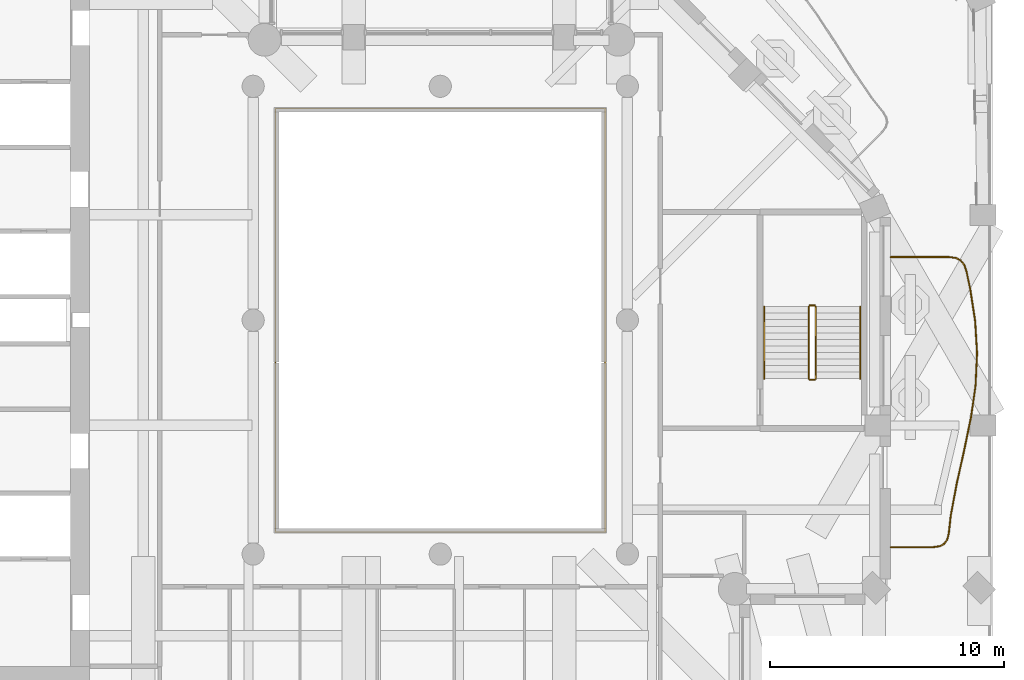
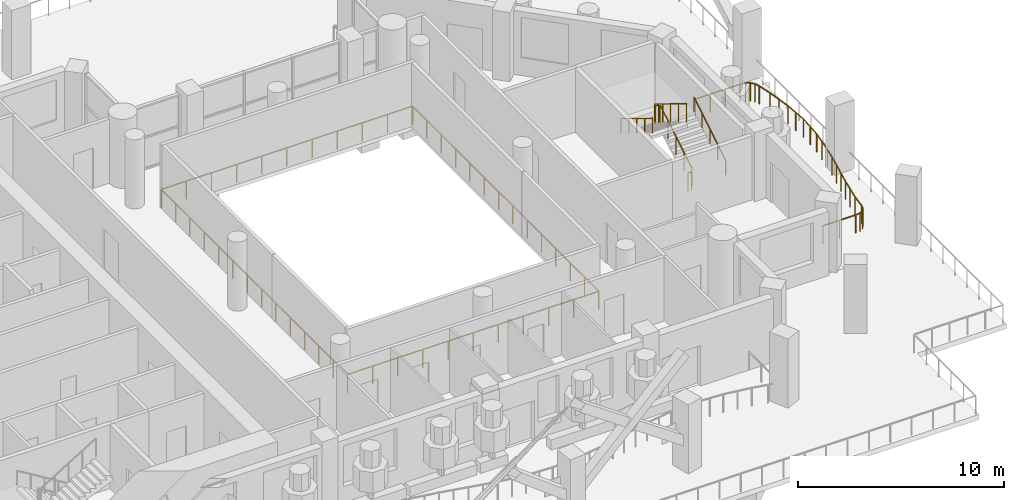
# One storey, part 15 of 18: 8 railings.
"""IFC4 building model written with IfcOpenShell, lengths in metres."""

from ifc_helpers import new_model, si_unit, direction, frame, origin, origin_2d, place, context, subcontext, project, spatial, rectangle, extrude, material, type_object, element, save


model = new_model("IFC4")

# Units and contexts
model_context = context("Model", 3, precision=1e-05, world=origin(), true_north=direction((0.0, 1.0)))
body_context = subcontext(model_context, "Body", "Model", "MODEL_VIEW")
ifc_project = project(units=[si_unit("LENGTHUNIT", "METRE"), si_unit("AREAUNIT", "SQUARE_METRE"), si_unit("VOLUMEUNIT", "CUBIC_METRE"), si_unit("PLANEANGLEUNIT", "RADIAN"), si_unit("MASSUNIT", "GRAM", prefix="KILO")], contexts=[model_context])

# Site, building, storey
site_placement = place(None, origin())
site = spatial("IfcSite", under=ifc_project, at=site_placement, CompositionType="ELEMENT")
building_placement = place(site_placement, origin())
building = spatial("IfcBuilding", under=site, at=building_placement, Name="Cypress Arch Tower", CompositionType="ELEMENT")
storey_placement = place(building_placement, frame((0.0, 0.0, 160.5)))
storey = spatial("IfcBuildingStorey", under=building, at=storey_placement, Name="L34", CompositionType="ELEMENT", Elevation=160.5)

# Railings
ifc_material_1 = material(Name="Stainless steel posts and handrail, laminated glass infill", Category="steel")
railing_type_1 = type_object("IfcRailingType", Name="Atrium guard GR1100A", PredefinedType="GUARDRAIL", material=ifc_material_1)
railing_1_placement = place(storey_placement, frame((8.050048828125, -9.050048828125, 0.0)))
element("IfcRailing", 1, at=railing_1_placement, inside=storey, type_object=railing_type_1, Name="Atrium guard L34", PredefinedType="GUARDRAIL", context=body_context, shape_type="SweptSolid", body=[
    extrude(rectangle(XDim=0.050048828125, YDim=0.050048828125, at=origin_2d()), frame((0.0, 0.0, 1.0751953125), z_axis=(-1.0, 0.0, 0.0), x_axis=(0.0, -1.0, 0.0)), (0.0, 0.0, 1.0), 14.10009765625),
    extrude(rectangle(XDim=0.050048828125, YDim=0.050048828125, at=origin_2d()), frame((-14.10009765625, 0.0, 1.0751953125), z_axis=(0.0, 1.0, 0.0), x_axis=(-1.0, 0.0, 0.0)), (0.0, 0.0, 1.0), 18.10009765625),
    extrude(rectangle(XDim=0.050048828125, YDim=0.050048828125, at=origin_2d()), frame((-14.10009765625, 18.10009765625, 1.0751953125), z_axis=(1.0, 0.0, 0.0), x_axis=(0.0, 1.0, 0.0)), (0.0, 0.0, 1.0), 14.10009765625),
    extrude(rectangle(XDim=0.050048828125, YDim=0.050048828125, at=origin_2d()), frame((0.0, 18.10009765625, 1.0751953125), z_axis=(0.0, -1.0, 0.0), x_axis=(1.0, 0.0, 0.0)), (0.0, 0.0, 1.0), 18.10009765625),
    extrude(rectangle(XDim=0.050048828125, YDim=0.050048828125, at=origin_2d()), origin(), (0.0, 0.0, 1.0), 1.050048828125),
    extrude(rectangle(XDim=0.050048828125, YDim=0.050048828125, at=origin_2d()), frame((-1.409912109375, 0.0, 0.0)), (0.0, 0.0, 1.0), 1.050048828125),
    extrude(rectangle(XDim=0.050048828125, YDim=0.050048828125, at=origin_2d()), frame((-2.820068359375, 0.0, 0.0)), (0.0, 0.0, 1.0), 1.050048828125),
    extrude(rectangle(XDim=0.050048828125, YDim=0.050048828125, at=origin_2d()), frame((-4.22998046875, 0.0, 0.0)), (0.0, 0.0, 1.0), 1.050048828125),
    extrude(rectangle(XDim=0.050048828125, YDim=0.050048828125, at=origin_2d()), frame((-5.64013671875, 0.0, 0.0)), (0.0, 0.0, 1.0), 1.050048828125),
    extrude(rectangle(XDim=0.050048828125, YDim=0.050048828125, at=origin_2d()), frame((-7.050048828125, 0.0, 0.0)), (0.0, 0.0, 1.0), 1.050048828125),
    extrude(rectangle(XDim=0.050048828125, YDim=0.050048828125, at=origin_2d()), frame((-8.4599609375, 0.0, 0.0)), (0.0, 0.0, 1.0), 1.050048828125),
    extrude(rectangle(XDim=0.050048828125, YDim=0.050048828125, at=origin_2d()), frame((-9.8701171875, 0.0, 0.0)), (0.0, 0.0, 1.0), 1.050048828125),
    extrude(rectangle(XDim=0.050048828125, YDim=0.050048828125, at=origin_2d()), frame((-11.280029296875, 0.0, 0.0)), (0.0, 0.0, 1.0), 1.050048828125),
    extrude(rectangle(XDim=0.050048828125, YDim=0.050048828125, at=origin_2d()), frame((-12.690185546875, 0.0, 0.0)), (0.0, 0.0, 1.0), 1.050048828125),
    extrude(rectangle(XDim=0.050048828125, YDim=0.050048828125, at=origin_2d()), frame((-14.10009765625, 0.0, 0.0)), (0.0, 0.0, 1.0), 1.050048828125),
    extrude(rectangle(XDim=0.050048828125, YDim=0.050048828125, at=origin_2d()), frame((-14.10009765625, 1.392333984375, 0.0)), (0.0, 0.0, 1.0), 1.050048828125),
    extrude(rectangle(XDim=0.050048828125, YDim=0.050048828125, at=origin_2d()), frame((-14.10009765625, 2.78466796875, 0.0)), (0.0, 0.0, 1.0), 1.050048828125),
    extrude(rectangle(XDim=0.050048828125, YDim=0.050048828125, at=origin_2d()), frame((-14.10009765625, 4.177001953125, 0.0)), (0.0, 0.0, 1.0), 1.050048828125),
    extrude(rectangle(XDim=0.050048828125, YDim=0.050048828125, at=origin_2d()), frame((-14.10009765625, 5.5693359375, 0.0)), (0.0, 0.0, 1.0), 1.050048828125),
    extrude(rectangle(XDim=0.050048828125, YDim=0.050048828125, at=origin_2d()), frame((-14.10009765625, 6.961669921875, 0.0)), (0.0, 0.0, 1.0), 1.050048828125),
    extrude(rectangle(XDim=0.050048828125, YDim=0.050048828125, at=origin_2d()), frame((-14.10009765625, 8.35400390625, 0.0)), (0.0, 0.0, 1.0), 1.050048828125),
    extrude(rectangle(XDim=0.050048828125, YDim=0.050048828125, at=origin_2d()), frame((-14.10009765625, 9.74609375, 0.0)), (0.0, 0.0, 1.0), 1.050048828125),
    extrude(rectangle(XDim=0.050048828125, YDim=0.050048828125, at=origin_2d()), frame((-14.10009765625, 11.138427734375, 0.0)), (0.0, 0.0, 1.0), 1.050048828125),
    extrude(rectangle(XDim=0.050048828125, YDim=0.050048828125, at=origin_2d()), frame((-14.10009765625, 12.53076171875, 0.0)), (0.0, 0.0, 1.0), 1.050048828125),
    extrude(rectangle(XDim=0.050048828125, YDim=0.050048828125, at=origin_2d()), frame((-14.10009765625, 13.923095703125, 0.0)), (0.0, 0.0, 1.0), 1.050048828125),
    extrude(rectangle(XDim=0.050048828125, YDim=0.050048828125, at=origin_2d()), frame((-14.10009765625, 15.3154296875, 0.0)), (0.0, 0.0, 1.0), 1.050048828125),
    extrude(rectangle(XDim=0.050048828125, YDim=0.050048828125, at=origin_2d()), frame((-14.10009765625, 16.707763671875, 0.0)), (0.0, 0.0, 1.0), 1.050048828125),
    extrude(rectangle(XDim=0.050048828125, YDim=0.050048828125, at=origin_2d()), frame((-14.10009765625, 18.10009765625, 0.0)), (0.0, 0.0, 1.0), 1.050048828125),
    extrude(rectangle(XDim=0.050048828125, YDim=0.050048828125, at=origin_2d()), frame((-12.690185546875, 18.10009765625, 0.0)), (0.0, 0.0, 1.0), 1.050048828125),
    extrude(rectangle(XDim=0.050048828125, YDim=0.050048828125, at=origin_2d()), frame((-11.280029296875, 18.10009765625, 0.0)), (0.0, 0.0, 1.0), 1.050048828125),
    extrude(rectangle(XDim=0.050048828125, YDim=0.050048828125, at=origin_2d()), frame((-9.8701171875, 18.10009765625, 0.0)), (0.0, 0.0, 1.0), 1.050048828125),
    extrude(rectangle(XDim=0.050048828125, YDim=0.050048828125, at=origin_2d()), frame((-8.4599609375, 18.10009765625, 0.0)), (0.0, 0.0, 1.0), 1.050048828125),
    extrude(rectangle(XDim=0.050048828125, YDim=0.050048828125, at=origin_2d()), frame((-7.050048828125, 18.10009765625, 0.0)), (0.0, 0.0, 1.0), 1.050048828125),
    extrude(rectangle(XDim=0.050048828125, YDim=0.050048828125, at=origin_2d()), frame((-5.64013671875, 18.10009765625, 0.0)), (0.0, 0.0, 1.0), 1.050048828125),
    extrude(rectangle(XDim=0.050048828125, YDim=0.050048828125, at=origin_2d()), frame((-4.22998046875, 18.10009765625, 0.0)), (0.0, 0.0, 1.0), 1.050048828125),
    extrude(rectangle(XDim=0.050048828125, YDim=0.050048828125, at=origin_2d()), frame((-2.820068359375, 18.10009765625, 0.0)), (0.0, 0.0, 1.0), 1.050048828125),
    extrude(rectangle(XDim=0.050048828125, YDim=0.050048828125, at=origin_2d()), frame((-1.409912109375, 18.10009765625, 0.0)), (0.0, 0.0, 1.0), 1.050048828125),
    extrude(rectangle(XDim=0.050048828125, YDim=0.050048828125, at=origin_2d()), frame((0.0, 18.10009765625, 0.0)), (0.0, 0.0, 1.0), 1.050048828125),
    extrude(rectangle(XDim=0.050048828125, YDim=0.050048828125, at=origin_2d()), frame((0.0, 16.707763671875, 0.0)), (0.0, 0.0, 1.0), 1.050048828125),
    extrude(rectangle(XDim=0.050048828125, YDim=0.050048828125, at=origin_2d()), frame((0.0, 15.3154296875, 0.0)), (0.0, 0.0, 1.0), 1.050048828125),
    extrude(rectangle(XDim=0.050048828125, YDim=0.050048828125, at=origin_2d()), frame((0.0, 13.923095703125, 0.0)), (0.0, 0.0, 1.0), 1.050048828125),
    extrude(rectangle(XDim=0.050048828125, YDim=0.050048828125, at=origin_2d()), frame((0.0, 12.53076171875, 0.0)), (0.0, 0.0, 1.0), 1.050048828125),
    extrude(rectangle(XDim=0.050048828125, YDim=0.050048828125, at=origin_2d()), frame((0.0, 11.138427734375, 0.0)), (0.0, 0.0, 1.0), 1.050048828125),
    extrude(rectangle(XDim=0.050048828125, YDim=0.050048828125, at=origin_2d()), frame((0.0, 9.74609375, 0.0)), (0.0, 0.0, 1.0), 1.050048828125),
    extrude(rectangle(XDim=0.050048828125, YDim=0.050048828125, at=origin_2d()), frame((0.0, 8.35400390625, 0.0)), (0.0, 0.0, 1.0), 1.050048828125),
    extrude(rectangle(XDim=0.050048828125, YDim=0.050048828125, at=origin_2d()), frame((0.0, 6.961669921875, 0.0)), (0.0, 0.0, 1.0), 1.050048828125),
    extrude(rectangle(XDim=0.050048828125, YDim=0.050048828125, at=origin_2d()), frame((0.0, 5.5693359375, 0.0)), (0.0, 0.0, 1.0), 1.050048828125),
    extrude(rectangle(XDim=0.050048828125, YDim=0.050048828125, at=origin_2d()), frame((0.0, 4.177001953125, 0.0)), (0.0, 0.0, 1.0), 1.050048828125),
    extrude(rectangle(XDim=0.050048828125, YDim=0.050048828125, at=origin_2d()), frame((0.0, 2.78466796875, 0.0)), (0.0, 0.0, 1.0), 1.050048828125),
    extrude(rectangle(XDim=0.050048828125, YDim=0.050048828125, at=origin_2d()), frame((0.0, 1.392333984375, 0.0)), (0.0, 0.0, 1.0), 1.050048828125),
])
ifc_material_2 = material(Name="Powder-coated steel posts and rods, 100 mm clear between rods", Category="steel")
railing_type_2 = type_object("IfcRailingType", Name="Balcony guard GR1100", PredefinedType="GUARDRAIL", material=ifc_material_2)
railing_2_placement = place(storey_placement, frame((20.25, 2.699951171875, 0.0)))
element("IfcRailing", 2, at=railing_2_placement, inside=storey, type_object=railing_type_2, Name="Balcony guard L34-B04", PredefinedType="GUARDRAIL", context=body_context, shape_type="SweptSolid", body=[
    extrude(rectangle(XDim=0.050048828125, YDim=0.050048828125, at=origin_2d()), frame((0.0, 0.0, 1.0751953125), z_axis=(1.0, 0.0, 0.0), x_axis=(0.0, 1.0, 0.0)), (0.0, 0.0, 1.0), 2.514404296875),
    extrude(rectangle(XDim=0.050048828125, YDim=0.050048828125, at=origin_2d()), frame((2.514404296875, 0.0, 1.0751953125), z_axis=(0.990941989201, -0.134290632726, 0.0), x_axis=(0.134290632726, 0.990941989201, 0.0)), (0.0, 0.0, 1.0), 0.278076171875),
    extrude(rectangle(XDim=0.050048828125, YDim=0.050048828125, at=origin_2d()), frame((2.7900390625, -0.037353515625, 1.0751953125), z_axis=(0.886807452099, -0.462139094756, 0.0), x_axis=(0.462139094756, 0.886807452099, 0.0)), (0.0, 0.0, 1.0), 0.234619140625),
    extrude(rectangle(XDim=0.050048828125, YDim=0.050048828125, at=origin_2d()), frame((2.998046875, -0.145751953125, 1.0751953125), z_axis=(0.636181582749, -0.771539366313, 0.0), x_axis=(0.771539366313, 0.636181582749, 0.0)), (0.0, 0.0, 1.0), 0.234375),
    extrude(rectangle(XDim=0.050048828125, YDim=0.050048828125, at=origin_2d()), frame((3.147216796875, -0.32666015625, 1.0751953125), z_axis=(0.337725275277, -0.94124472824, 0.0), x_axis=(0.94124472824, 0.337725275277, 0.0)), (0.0, 0.0, 1.0), 0.2783203125),
    extrude(rectangle(XDim=0.050048828125, YDim=0.050048828125, at=origin_2d()), frame((3.2412109375, -0.588623046875, 1.0751953125), z_axis=(0.207896371808, -0.978150856765, 0.0), x_axis=(0.978150856765, 0.207896371808, 0.0)), (0.0, 0.0, 1.0), 0.776123046875),
    extrude(rectangle(XDim=0.050048828125, YDim=0.050048828125, at=origin_2d()), frame((3.402587890625, -1.347900390625, 1.0751953125), z_axis=(0.15241057577, -0.988317265049, 0.0), x_axis=(0.988317265049, 0.15241057577, 0.0)), (0.0, 0.0, 1.0), 1.401611328125),
    extrude(rectangle(XDim=0.050048828125, YDim=0.050048828125, at=origin_2d()), frame((3.6162109375, -2.733154296875, 1.0751953125), z_axis=(0.06022920328, -0.99818457365, 0.0), x_axis=(0.99818457365, 0.06022920328, 0.0)), (0.0, 0.0, 1.0), 1.38623046875),
    extrude(rectangle(XDim=0.050048828125, YDim=0.050048828125, at=origin_2d()), frame((3.69970703125, -4.116943359375, 1.0751953125), z_axis=(-0.047581895174, -0.998867340167, 0.0), x_axis=(0.998867340167, -0.047581895174, 0.0)), (0.0, 0.0, 1.0), 1.38525390625),
    extrude(rectangle(XDim=0.050048828125, YDim=0.050048828125, at=origin_2d()), frame((3.6337890625, -5.500732421875, 1.0751953125), z_axis=(-0.142886705949, -0.989739051095, 0.0), x_axis=(0.989739051095, -0.142886705949, 0.0)), (0.0, 0.0, 1.0), 1.3994140625),
    extrude(rectangle(XDim=0.050048828125, YDim=0.050048828125, at=origin_2d()), frame((3.433837890625, -6.8857421875, 1.0751953125), z_axis=(-0.203699616241, -0.979033434742, 0.0), x_axis=(0.979033434742, -0.203699616241, 0.0)), (0.0, 0.0, 1.0), 1.416748046875),
    extrude(rectangle(XDim=0.050048828125, YDim=0.050048828125, at=origin_2d()), frame((3.145263671875, -8.272705078125, 1.0751953125), z_axis=(-0.218128670518, -0.975920018802, 0.0), x_axis=(0.975920018802, -0.218128670518, 0.0)), (0.0, 0.0, 1.0), 1.423583984375),
    extrude(rectangle(XDim=0.050048828125, YDim=0.050048828125, at=origin_2d()), frame((2.834716796875, -9.662109375, 1.0751953125), z_axis=(-0.184496744487, -0.982833124835, 0.0), x_axis=(0.982833124835, -0.184496744487, 0.0)), (0.0, 0.0, 1.0), 1.416015625),
    extrude(rectangle(XDim=0.050048828125, YDim=0.050048828125, at=origin_2d()), frame((2.573486328125, -11.0537109375, 1.0751953125), z_axis=(-0.107915549764, -0.994160064637, 0.0), x_axis=(0.994160064637, -0.107915549764, 0.0)), (0.0, 0.0, 1.0), 0.766845703125),
    extrude(rectangle(XDim=0.050048828125, YDim=0.050048828125, at=origin_2d()), frame((2.49072265625, -11.816162109375, 1.0751953125), z_axis=(-0.2448823713, -0.969552795998, 0.0), x_axis=(0.969552795998, -0.2448823713, 0.0)), (0.0, 0.0, 1.0), 0.269287109375),
    extrude(rectangle(XDim=0.050048828125, YDim=0.050048828125, at=origin_2d()), frame((2.4248046875, -12.0771484375, 1.0751953125), z_axis=(-0.580394853532, -0.814335197565, 0.0), x_axis=(0.814335197565, -0.580394853532, 0.0)), (0.0, 0.0, 1.0), 0.21923828125),
    extrude(rectangle(XDim=0.050048828125, YDim=0.050048828125, at=origin_2d()), frame((2.297607421875, -12.255615234375, 1.0751953125), z_axis=(-0.872258952873, -0.489044291585, 0.0), x_axis=(0.489044291585, -0.872258952873, 0.0)), (0.0, 0.0, 1.0), 0.21923828125),
    extrude(rectangle(XDim=0.050048828125, YDim=0.050048828125, at=origin_2d()), frame((2.1064453125, -12.36279296875, 1.0751953125), z_axis=(-0.990433769905, -0.137988939528, 0.0), x_axis=(0.137988939528, -0.990433769905, 0.0)), (0.0, 0.0, 1.0), 0.26904296875),
    extrude(rectangle(XDim=0.050048828125, YDim=0.050048828125, at=origin_2d()), frame((1.840087890625, -12.39990234375, 1.0751953125), z_axis=(-1.0, 0.0, 0.0), x_axis=(0.0, -1.0, 0.0)), (0.0, 0.0, 1.0), 1.840087890625),
    extrude(rectangle(XDim=0.0400390625, YDim=0.0400390625, at=origin_2d()), origin(), (0.0, 0.0, 1.0), 1.050048828125),
    extrude(rectangle(XDim=0.0400390625, YDim=0.0400390625, at=origin_2d()), frame((0.838134765625, 0.0, 0.0)), (0.0, 0.0, 1.0), 1.050048828125),
    extrude(rectangle(XDim=0.0400390625, YDim=0.0400390625, at=origin_2d()), frame((1.67626953125, 0.0, 0.0)), (0.0, 0.0, 1.0), 1.050048828125),
    extrude(rectangle(XDim=0.0400390625, YDim=0.0400390625, at=origin_2d()), frame((2.514404296875, 0.0, 0.0)), (0.0, 0.0, 1.0), 1.050048828125),
    extrude(rectangle(XDim=0.0400390625, YDim=0.0400390625, at=origin_2d()), frame((2.7900390625, -0.037353515625, 0.0)), (0.0, 0.0, 1.0), 1.050048828125),
    extrude(rectangle(XDim=0.0400390625, YDim=0.0400390625, at=origin_2d()), frame((2.998046875, -0.145751953125, 0.0)), (0.0, 0.0, 1.0), 1.050048828125),
    extrude(rectangle(XDim=0.0400390625, YDim=0.0400390625, at=origin_2d()), frame((3.147216796875, -0.32666015625, 0.0)), (0.0, 0.0, 1.0), 1.050048828125),
    extrude(rectangle(XDim=0.0400390625, YDim=0.0400390625, at=origin_2d()), frame((3.2412109375, -0.588623046875, 0.0)), (0.0, 0.0, 1.0), 1.050048828125),
    extrude(rectangle(XDim=0.0400390625, YDim=0.0400390625, at=origin_2d()), frame((3.402587890625, -1.347900390625, 0.0)), (0.0, 0.0, 1.0), 1.050048828125),
    extrude(rectangle(XDim=0.0400390625, YDim=0.0400390625, at=origin_2d()), frame((3.50927734375, -2.04052734375, 0.0)), (0.0, 0.0, 1.0), 1.050048828125),
    extrude(rectangle(XDim=0.0400390625, YDim=0.0400390625, at=origin_2d()), frame((3.6162109375, -2.733154296875, 0.0)), (0.0, 0.0, 1.0), 1.050048828125),
    extrude(rectangle(XDim=0.0400390625, YDim=0.0400390625, at=origin_2d()), frame((3.657958984375, -3.425048828125, 0.0)), (0.0, 0.0, 1.0), 1.050048828125),
    extrude(rectangle(XDim=0.0400390625, YDim=0.0400390625, at=origin_2d()), frame((3.69970703125, -4.116943359375, 0.0)), (0.0, 0.0, 1.0), 1.050048828125),
    extrude(rectangle(XDim=0.0400390625, YDim=0.0400390625, at=origin_2d()), frame((3.666748046875, -4.808837890625, 0.0)), (0.0, 0.0, 1.0), 1.050048828125),
    extrude(rectangle(XDim=0.0400390625, YDim=0.0400390625, at=origin_2d()), frame((3.6337890625, -5.500732421875, 0.0)), (0.0, 0.0, 1.0), 1.050048828125),
    extrude(rectangle(XDim=0.0400390625, YDim=0.0400390625, at=origin_2d()), frame((3.53369140625, -6.193359375, 0.0)), (0.0, 0.0, 1.0), 1.050048828125),
    extrude(rectangle(XDim=0.0400390625, YDim=0.0400390625, at=origin_2d()), frame((3.433837890625, -6.8857421875, 0.0)), (0.0, 0.0, 1.0), 1.050048828125),
    extrude(rectangle(XDim=0.0400390625, YDim=0.0400390625, at=origin_2d()), frame((3.28955078125, -7.5791015625, 0.0)), (0.0, 0.0, 1.0), 1.050048828125),
    extrude(rectangle(XDim=0.0400390625, YDim=0.0400390625, at=origin_2d()), frame((3.145263671875, -8.272705078125, 0.0)), (0.0, 0.0, 1.0), 1.050048828125),
    extrude(rectangle(XDim=0.0400390625, YDim=0.0400390625, at=origin_2d()), frame((2.989990234375, -8.96728515625, 0.0)), (0.0, 0.0, 1.0), 1.050048828125),
    extrude(rectangle(XDim=0.0400390625, YDim=0.0400390625, at=origin_2d()), frame((2.834716796875, -9.662109375, 0.0)), (0.0, 0.0, 1.0), 1.050048828125),
    extrude(rectangle(XDim=0.0400390625, YDim=0.0400390625, at=origin_2d()), frame((2.7041015625, -10.35791015625, 0.0)), (0.0, 0.0, 1.0), 1.050048828125),
    extrude(rectangle(XDim=0.0400390625, YDim=0.0400390625, at=origin_2d()), frame((2.573486328125, -11.0537109375, 0.0)), (0.0, 0.0, 1.0), 1.050048828125),
    extrude(rectangle(XDim=0.0400390625, YDim=0.0400390625, at=origin_2d()), frame((2.49072265625, -11.816162109375, 0.0)), (0.0, 0.0, 1.0), 1.050048828125),
    extrude(rectangle(XDim=0.0400390625, YDim=0.0400390625, at=origin_2d()), frame((2.4248046875, -12.0771484375, 0.0)), (0.0, 0.0, 1.0), 1.050048828125),
    extrude(rectangle(XDim=0.0400390625, YDim=0.0400390625, at=origin_2d()), frame((2.297607421875, -12.255615234375, 0.0)), (0.0, 0.0, 1.0), 1.050048828125),
    extrude(rectangle(XDim=0.0400390625, YDim=0.0400390625, at=origin_2d()), frame((2.1064453125, -12.36279296875, 0.0)), (0.0, 0.0, 1.0), 1.050048828125),
    extrude(rectangle(XDim=0.0400390625, YDim=0.0400390625, at=origin_2d()), frame((1.840087890625, -12.39990234375, 0.0)), (0.0, 0.0, 1.0), 1.050048828125),
    extrude(rectangle(XDim=0.0400390625, YDim=0.0400390625, at=origin_2d()), frame((0.919921875, -12.39990234375, 0.0)), (0.0, 0.0, 1.0), 1.050048828125),
    extrude(rectangle(XDim=0.0400390625, YDim=0.0400390625, at=origin_2d()), frame((0.0, -12.39990234375, 0.0)), (0.0, 0.0, 1.0), 1.050048828125),
])
ifc_material_3 = material(Name="Black powder-coated steel square bar 48 mm", Category="steel")
railing_type_3 = type_object("IfcRailingType", Name="Stair handrail HR1", PredefinedType="HANDRAIL", material=ifc_material_3)
railing_3_placement = place(storey_placement, frame((18.949951171875, -2.5, 0.1708984375)))
element("IfcRailing", 3, at=railing_3_placement, inside=storey, type_object=railing_type_3, Name="L34 C stair handrail 1", PredefinedType="HANDRAIL", context=body_context, shape_type="SweptSolid", body=[
    extrude(rectangle(XDim=0.048095703125, YDim=0.048095703125, at=origin_2d()), frame((0.0, 0.0, 0.8759765625), z_axis=(0.0, 0.853666305674, 0.52082035152), x_axis=(-1.0, 0.0, 0.0)), (0.0, 0.0, 1.0), 3.608154296875),
    extrude(rectangle(XDim=0.0419921875, YDim=0.0419921875, at=origin_2d()), origin(), (0.0, 0.0, 1.0), 0.851806640625),
    extrude(rectangle(XDim=0.0419921875, YDim=0.0419921875, at=origin_2d()), frame((0.0, 0.77001953125, 0.4697265625)), (0.0, 0.0, 1.0), 0.851806640625),
    extrude(rectangle(XDim=0.0419921875, YDim=0.0419921875, at=origin_2d()), frame((0.0, 1.5400390625, 0.939453125)), (0.0, 0.0, 1.0), 0.851806640625),
    extrude(rectangle(XDim=0.0419921875, YDim=0.0419921875, at=origin_2d()), frame((0.0, 2.31005859375, 1.409423828125)), (0.0, 0.0, 1.0), 0.851806640625),
    extrude(rectangle(XDim=0.0419921875, YDim=0.0419921875, at=origin_2d()), frame((0.0, 3.080078125, 1.879150390625)), (0.0, 0.0, 1.0), 0.851806640625),
])
railing_4_placement = place(storey_placement, frame((14.85009765625, 0.580078125, 2.220947265625)))
element("IfcRailing", 4, at=railing_4_placement, inside=storey, type_object=railing_type_3, Name="L34 C stair handrail 2", PredefinedType="HANDRAIL", context=body_context, shape_type="SweptSolid", body=[
    extrude(rectangle(XDim=0.048095703125, YDim=0.048095703125, at=origin_2d()), frame((0.0, 0.0, 0.8759765625), z_axis=(0.0, -0.853666305674, 0.52082035152), x_axis=(1.0, 0.0, 0.0)), (0.0, 0.0, 1.0), 3.608154296875),
    extrude(rectangle(XDim=0.0419921875, YDim=0.0419921875, at=origin_2d()), origin(), (0.0, 0.0, 1.0), 0.851806640625),
    extrude(rectangle(XDim=0.0419921875, YDim=0.0419921875, at=origin_2d()), frame((0.0, -0.77001953125, 0.4697265625)), (0.0, 0.0, 1.0), 0.851806640625),
    extrude(rectangle(XDim=0.0419921875, YDim=0.0419921875, at=origin_2d()), frame((0.0, -1.5400390625, 0.939453125)), (0.0, 0.0, 1.0), 0.851806640625),
    extrude(rectangle(XDim=0.0419921875, YDim=0.0419921875, at=origin_2d()), frame((0.0, -2.31005859375, 1.409423828125)), (0.0, 0.0, 1.0), 0.851806640625),
    extrude(rectangle(XDim=0.0419921875, YDim=0.0419921875, at=origin_2d()), frame((0.0, -3.080078125, 1.879150390625)), (0.0, 0.0, 1.0), 0.851806640625),
])
ifc_material_4 = material(Name="Black powder-coated steel balusters", Category="steel")
railing_type_4 = type_object("IfcRailingType", Name="Stair well guard G1", PredefinedType="GUARDRAIL", material=ifc_material_4)
railing_5_placement = place(storey_placement, frame((17.050048828125, -2.5, 0.1708984375)))
element("IfcRailing", 5, at=railing_5_placement, inside=storey, type_object=railing_type_4, Name="L34 C stair guard 1", PredefinedType="GUARDRAIL", context=body_context, shape_type="SweptSolid", body=[
    extrude(rectangle(XDim=0.048095703125, YDim=0.048095703125, at=origin_2d()), frame((0.0, 0.0, 1.076171875), z_axis=(0.0, 0.853666305674, 0.52082035152), x_axis=(-1.0, 0.0, 0.0)), (0.0, 0.0, 1.0), 3.608154296875),
    extrude(rectangle(XDim=0.0419921875, YDim=0.0419921875, at=origin_2d()), origin(), (0.0, 0.0, 1.0), 1.052001953125),
    extrude(rectangle(XDim=0.0419921875, YDim=0.0419921875, at=origin_2d()), frame((0.0, 0.77001953125, 0.4697265625)), (0.0, 0.0, 1.0), 1.052001953125),
    extrude(rectangle(XDim=0.0419921875, YDim=0.0419921875, at=origin_2d()), frame((0.0, 1.5400390625, 0.939453125)), (0.0, 0.0, 1.0), 1.052001953125),
    extrude(rectangle(XDim=0.0419921875, YDim=0.0419921875, at=origin_2d()), frame((0.0, 2.31005859375, 1.409423828125)), (0.0, 0.0, 1.0), 1.052001953125),
    extrude(rectangle(XDim=0.0419921875, YDim=0.0419921875, at=origin_2d()), frame((0.0, 3.080078125, 1.879150390625)), (0.0, 0.0, 1.0), 1.052001953125),
])
railing_6_placement = place(storey_placement, frame((17.0, 0.6298828125, 2.050048828125)))
element("IfcRailing", 6, at=railing_6_placement, inside=storey, type_object=railing_type_4, Name="L34 C stair guard 2", PredefinedType="GUARDRAIL", context=body_context, shape_type="SweptSolid", body=[
    extrude(rectangle(XDim=0.048095703125, YDim=0.048095703125, at=origin_2d()), frame((0.0, 0.0, 1.076171875), z_axis=(-1.0, 0.0, 0.0), x_axis=(0.0, -1.0, 0.0)), (0.0, 0.0, 1.0), 0.199951171875),
    extrude(rectangle(XDim=0.0419921875, YDim=0.0419921875, at=origin_2d()), origin(), (0.0, 0.0, 1.0), 1.052001953125),
    extrude(rectangle(XDim=0.0419921875, YDim=0.0419921875, at=origin_2d()), frame((-0.199951171875, 0.0, 0.0)), (0.0, 0.0, 1.0), 1.052001953125),
])
railing_7_placement = place(storey_placement, frame((16.75, 0.580078125, 2.220947265625)))
element("IfcRailing", 7, at=railing_7_placement, inside=storey, type_object=railing_type_4, Name="L34 C stair guard 3", PredefinedType="GUARDRAIL", context=body_context, shape_type="SweptSolid", body=[
    extrude(rectangle(XDim=0.048095703125, YDim=0.048095703125, at=origin_2d()), frame((0.0, 0.0, 1.076171875), z_axis=(0.0, -0.853666305674, 0.52082035152), x_axis=(1.0, 0.0, 0.0)), (0.0, 0.0, 1.0), 3.608154296875),
    extrude(rectangle(XDim=0.0419921875, YDim=0.0419921875, at=origin_2d()), origin(), (0.0, 0.0, 1.0), 1.052001953125),
    extrude(rectangle(XDim=0.0419921875, YDim=0.0419921875, at=origin_2d()), frame((0.0, -0.77001953125, 0.4697265625)), (0.0, 0.0, 1.0), 1.052001953125),
    extrude(rectangle(XDim=0.0419921875, YDim=0.0419921875, at=origin_2d()), frame((0.0, -1.5400390625, 0.939453125)), (0.0, 0.0, 1.0), 1.052001953125),
    extrude(rectangle(XDim=0.0419921875, YDim=0.0419921875, at=origin_2d()), frame((0.0, -2.31005859375, 1.409423828125)), (0.0, 0.0, 1.0), 1.052001953125),
    extrude(rectangle(XDim=0.0419921875, YDim=0.0419921875, at=origin_2d()), frame((0.0, -3.080078125, 1.879150390625)), (0.0, 0.0, 1.0), 1.052001953125),
])
railing_8_placement = place(storey_placement, frame((17.0, -2.550048828125, 0.0)))
element("IfcRailing", 8, at=railing_8_placement, inside=storey, type_object=railing_type_4, Name="L34 C stair guard 4", PredefinedType="GUARDRAIL", context=body_context, shape_type="SweptSolid", body=[
    extrude(rectangle(XDim=0.048095703125, YDim=0.048095703125, at=origin_2d()), frame((0.0, 0.0, 1.076171875), z_axis=(-1.0, 0.0, 0.0), x_axis=(0.0, -1.0, 0.0)), (0.0, 0.0, 1.0), 0.199951171875),
    extrude(rectangle(XDim=0.0419921875, YDim=0.0419921875, at=origin_2d()), origin(), (0.0, 0.0, 1.0), 1.052001953125),
    extrude(rectangle(XDim=0.0419921875, YDim=0.0419921875, at=origin_2d()), frame((-0.199951171875, 0.0, 0.0)), (0.0, 0.0, 1.0), 1.052001953125),
])

save(model, "model.ifc")
